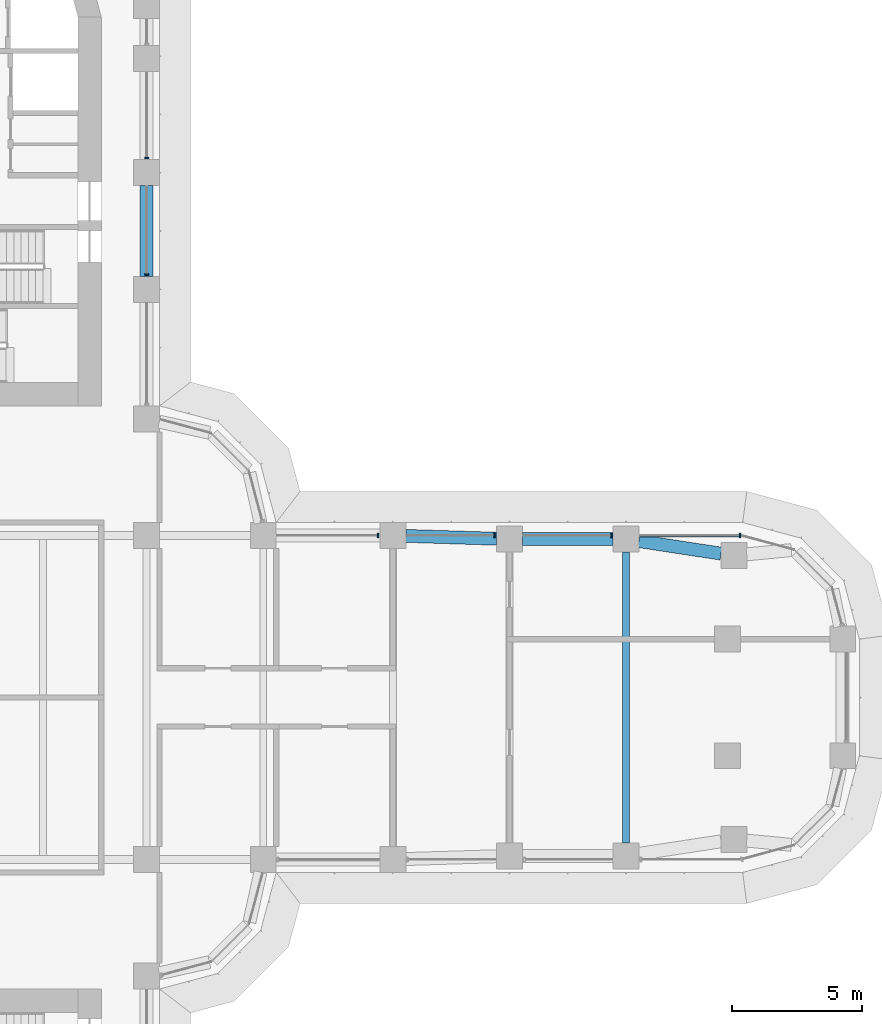
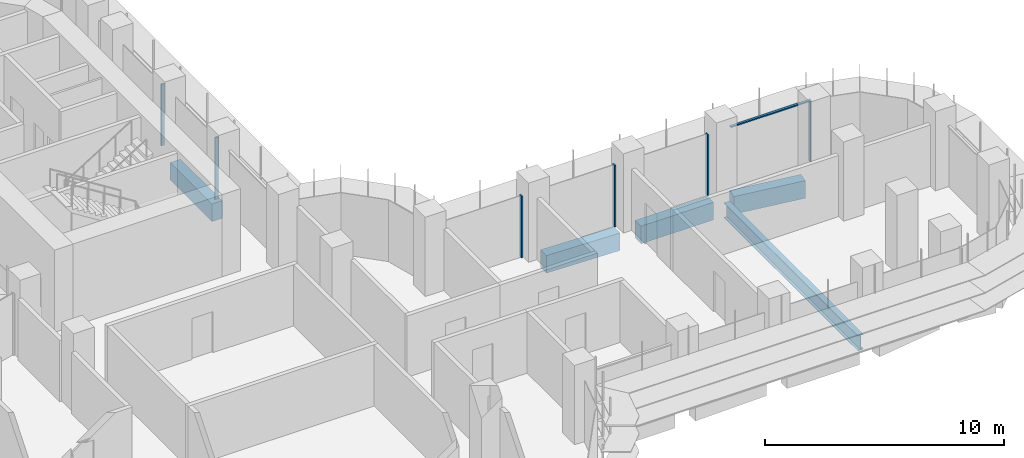
# One storey, part 9 of 23: 7 members, 5 beams, 2 elements without a shape of their own.
"""IFC4 building model written with IfcOpenShell, lengths in metres."""

from ifc_helpers import new_model, si_unit, direction, frame, origin, origin_2d, place, context, subcontext, project, spatial, polyline, rectangle, i_section, outline, extrude, source, transform, mapped, material, material_profile, profile_set, type_object, element, aggregate, save


model = new_model("IFC4")

# Units and contexts
model_context = context("Model", 3, precision=1e-05, world=origin(), true_north=direction((0.0, 1.0)))
body_context = subcontext(model_context, "Body", "Model", "MODEL_VIEW")
ifc_project = project(units=[si_unit("LENGTHUNIT", "METRE"), si_unit("AREAUNIT", "SQUARE_METRE"), si_unit("VOLUMEUNIT", "CUBIC_METRE"), si_unit("PLANEANGLEUNIT", "RADIAN"), si_unit("MASSUNIT", "GRAM", prefix="KILO")], contexts=[model_context])

# Site, building, storey
site_placement = place(None, origin())
site = spatial("IfcSite", under=ifc_project, at=site_placement, CompositionType="ELEMENT")
building_placement = place(site_placement, origin())
building = spatial("IfcBuilding", under=site, at=building_placement, Name="Zarbagh Exchange Tower", CompositionType="ELEMENT")
storey_placement = place(building_placement, frame((0.0, 0.0, 52.199951171875)))
storey = spatial("IfcBuildingStorey", under=building, at=storey_placement, Name="L11", CompositionType="ELEMENT", Elevation=52.199951171875)

# Beams
ifc_material_1 = material(Name="Steel ASTM A992 Gr 50", Category="steel")
ifc_material_profile_1 = material_profile(ifc_material_1, i_section(OverallWidth=0.2666015625, OverallDepth=0.76708984375, WebThickness=0.014892578125, FlangeThickness=0.023681640625, at=origin_2d()), Name="W30X124")
ifc_profile_set_1 = profile_set([ifc_material_profile_1], Name="Steel ASTM A992 Gr 50")
beam_type_1 = type_object("IfcBeamType", Name="Floor beam W30X124", PredefinedType="BEAM", material=ifc_profile_set_1)
beam_1_placement = place(storey_placement, frame((24.75, -5.610107421875, -0.533447265625), z_axis=(0.0, 1.0, 0.0), x_axis=(-1.0, 0.0, 0.0)))
element("IfcBeam", 1, at=beam_1_placement, inside=storey, type_object=beam_type_1, Name="Steel floor beam", PredefinedType="BEAM", context=body_context, shape_type="SweptSolid", body=[
    extrude(i_section(OverallWidth=0.2666015625, OverallDepth=0.76708984375, WebThickness=0.014892578125, FlangeThickness=0.023681640625, at=origin_2d()), origin(), (0.0, 0.0, 1.0), 11.22021484375),
])
ifc_material_2 = material(Name="Concrete C60/75", Category="concrete")
ifc_material_profile_2 = material_profile(ifc_material_2, rectangle(XDim=0.5, YDim=0.89990234375, at=origin_2d()), Name="RC spandrel beam 500 x 900 C60/75")
ifc_profile_set_2 = profile_set([ifc_material_profile_2], Name="Concrete C60/75")
beam_type_2 = type_object("IfcBeamType", Name="RC spandrel beam 500 x 900 C60/75", PredefinedType="SPANDREL", material=ifc_profile_set_2)
beam_2_placement = place(storey_placement, frame((6.25, 19.75, -0.599853515625), z_axis=(0.0, -1.0, 0.0), x_axis=(1.0, 0.0, 0.0)))
element("IfcBeam", 2, at=beam_2_placement, inside=storey, type_object=beam_type_2, Name="RC spandrel beam", PredefinedType="SPANDREL", context=body_context, shape_type="SweptSolid", body=[
    extrude(rectangle(XDim=0.5, YDim=0.89990234375, at=origin_2d()), origin(), (0.0, 0.0, 1.0), 3.5),
])
beam_3_placement = place(storey_placement, frame((16.249755859375, 6.234619140625, -0.599853515625), z_axis=(0.999514385708, -0.031160756759, 0.0), x_axis=(0.031160756759, 0.999514385708, 0.0)))
element("IfcBeam", 3, at=beam_3_placement, inside=storey, type_object=beam_type_2, Name="RC spandrel beam", PredefinedType="SPANDREL", context=body_context, shape_type="SweptSolid", body=[
    extrude(rectangle(XDim=0.5, YDim=0.89990234375, at=origin_2d()), origin(), (0.0, 0.0, 1.0), 3.502197265625),
])
beam_4_placement = place(storey_placement, frame((20.75, 6.110107421875, -0.599853515625), z_axis=(1.0, 0.0, 0.0), x_axis=(0.0, 1.0, 0.0)))
element("IfcBeam", 4, at=beam_4_placement, inside=storey, type_object=beam_type_2, Name="RC spandrel beam", PredefinedType="SPANDREL", context=body_context, shape_type="SweptSolid", body=[
    extrude(rectangle(XDim=0.5, YDim=0.89990234375, at=origin_2d()), origin(), (0.0, 0.0, 1.0), 3.5),
])
beam_5_placement = place(storey_placement, frame((25.244384765625, 6.034423828125, -0.599853515625), z_axis=(0.988545350976, -0.150924116903, 0.0), x_axis=(0.150924116903, 0.988545350976, 0.0)))
element("IfcBeam", 5, at=beam_5_placement, inside=storey, type_object=beam_type_2, Name="RC spandrel beam", PredefinedType="SPANDREL", context=body_context, shape_type="SweptSolid", body=[
    extrude(rectangle(XDim=0.5, YDim=0.89990234375, at=origin_2d()), origin(), (0.0, 0.0, 1.0), 3.2060546875),
])

# Curtain wall, members
ifc_material_3 = material(Name="Anodised aluminium frame and glazing", Category="aluminium")
curtain_wall_type = type_object("IfcCurtainWallType", Name="CWA Ribbon glazing, lower zones", PredefinedType="NOTDEFINED", material=ifc_material_3)
curtain_wall_1_placement = place(storey_placement, origin())
curtain_wall_1 = element("IfcCurtainWall", 6, at=curtain_wall_1_placement, inside=storey, type_object=curtain_wall_type, Name="CWA16 curtain wall", PredefinedType="NOTDEFINED")
ifc_material_4 = material(Name="Anodised aluminium frame", Category="aluminium")
member_type_1 = type_object("IfcMemberType", Name="MUA Mullion, anodised aluminium frame", PredefinedType="MULLION", material=ifc_material_4)
shared_shape_1 = source(origin(), body_context, "Body", "SweptSolid", [
    extrude(outline(polyline([(0.0, -0.080078125), (0.06005859375, -0.080078125), (0.06005859375, 0.080078125), (0.0, 0.080078125), (0.0, -0.080078125)])), origin(), (0.0, 0.0, 1.0), 3.14990234375),
])
placement = place(storey_placement, origin())
member_1 = element("IfcMember", 7, at=placement, type_object=member_type_1, Name="CWA16 mullion 1.1", PredefinedType="MULLION", context=body_context, shape_type="MappedRepresentation", body=[
    mapped(shared_shape_1, transform((29.18408203125, 6.25, 0.0), x_axis=(-1.0, 0.0, 0.0), y_axis=(0.0, -1.0, 0.0), z_axis=(0.0, 0.0, 1.0))),
])
member_2 = element("IfcMember", 8, at=placement, type_object=member_type_1, Name="CWA16 mullion 2.1", PredefinedType="MULLION", context=body_context, shape_type="MappedRepresentation", body=[
    mapped(shared_shape_1, transform((24.2099609375, 6.25, 0.0), x_axis=(-1.0, 0.0, 0.0), y_axis=(0.0, -1.0, 0.0), z_axis=(0.0, 0.0, 1.0))),
])
member_3 = element("IfcMember", 9, at=placement, type_object=member_type_1, Name="CWA16 mullion 3.1", PredefinedType="MULLION", context=body_context, shape_type="MappedRepresentation", body=[
    mapped(shared_shape_1, transform((19.7099609375, 6.25, 0.0), x_axis=(-1.0, 0.0, 0.0), y_axis=(0.0, -1.0, 0.0), z_axis=(0.0, 0.0, 1.0))),
])
member_4 = element("IfcMember", 10, at=placement, type_object=member_type_1, Name="CWA16 mullion 4.1", PredefinedType="MULLION", context=body_context, shape_type="MappedRepresentation", body=[
    mapped(shared_shape_1, transform((15.2099609375, 6.25, 0.0), x_axis=(-1.0, 0.0, 0.0), y_axis=(0.0, -1.0, 0.0), z_axis=(0.0, 0.0, 1.0))),
])

curtain_wall_2_placement = place(storey_placement, origin())
curtain_wall_2 = element("IfcCurtainWall", 11, at=curtain_wall_2_placement, inside=storey, type_object=curtain_wall_type, Name="CWA20 curtain wall", PredefinedType="NOTDEFINED")
member_5 = element("IfcMember", 12, at=placement, type_object=member_type_1, Name="CWA20 mullion 2.1", PredefinedType="MULLION", context=body_context, shape_type="MappedRepresentation", body=[
    mapped(shared_shape_1, transform((6.25, 16.2900390625, 0.0), x_axis=(0.0, 1.0, 0.0), y_axis=(-1.0, 0.0, 0.0), z_axis=(0.0, 0.0, 1.0))),
])
member_6 = element("IfcMember", 13, at=placement, type_object=member_type_1, Name="CWA20 mullion 3.1", PredefinedType="MULLION", context=body_context, shape_type="MappedRepresentation", body=[
    mapped(shared_shape_1, transform((6.25, 20.7900390625, 0.0), x_axis=(0.0, 1.0, 0.0), y_axis=(-1.0, 0.0, 0.0), z_axis=(0.0, 0.0, 1.0))),
])
aggregate(curtain_wall_2, [member_5, member_6])

# Member
member_type_2 = type_object("IfcMemberType", Name="TRA Transom, anodised aluminium frame", PredefinedType="USERDEFINED", material=ifc_material_4)
shared_shape_2 = source(origin(), body_context, "Body", "SweptSolid", [
    extrude(outline(polyline([(-0.06005859375, -0.06005859375), (0.0, -0.06005859375), (0.0, 0.06005859375), (-0.06005859375, 0.06005859375), (-0.06005859375, -0.06005859375)])), origin(), (0.0, 0.0, 1.0), 3.834228515625),
])
member_7 = element("IfcMember", 14, at=placement, type_object=member_type_2, Name="CWA16 transom 1.1", ObjectType="TRANSOM", PredefinedType="USERDEFINED", context=body_context, shape_type="MappedRepresentation", body=[
    mapped(shared_shape_2, transform((29.124267578125, 6.25, 3.150146484375), x_axis=(0.0, 0.0, 1.0), y_axis=(0.0, 1.0, 0.0), z_axis=(-1.0, 0.0, 0.0))),
])

aggregate(curtain_wall_1, [member_1, member_7, member_2, member_3, member_4])

save(model, "model.ifc")
